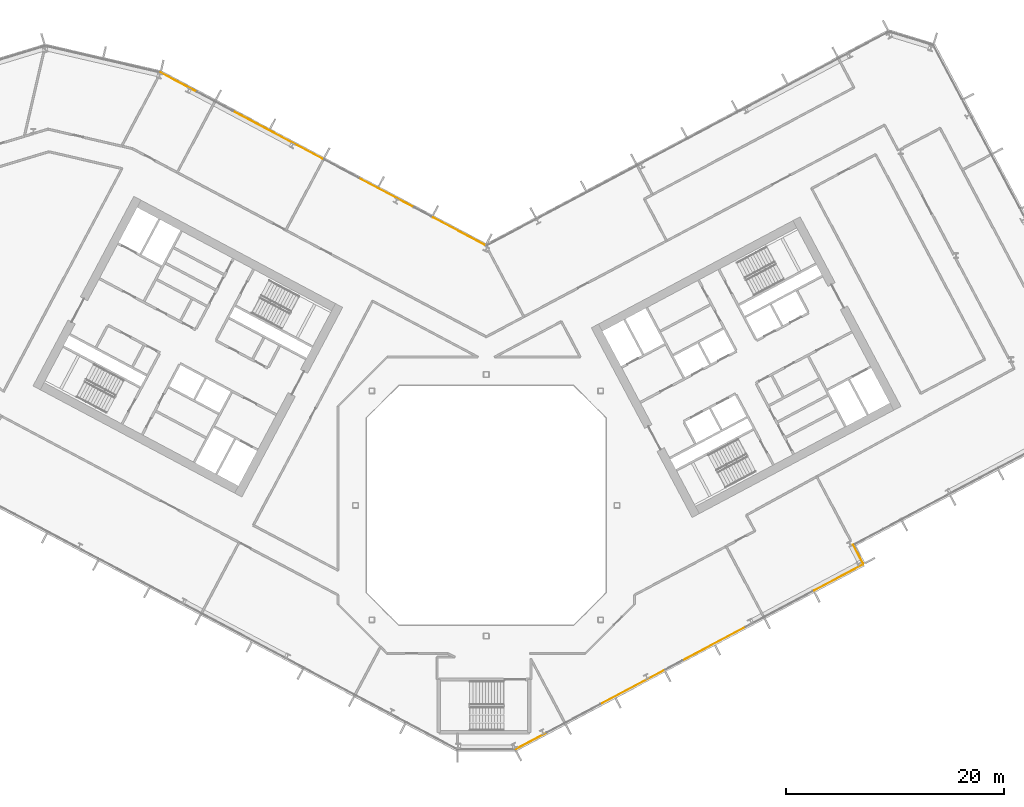
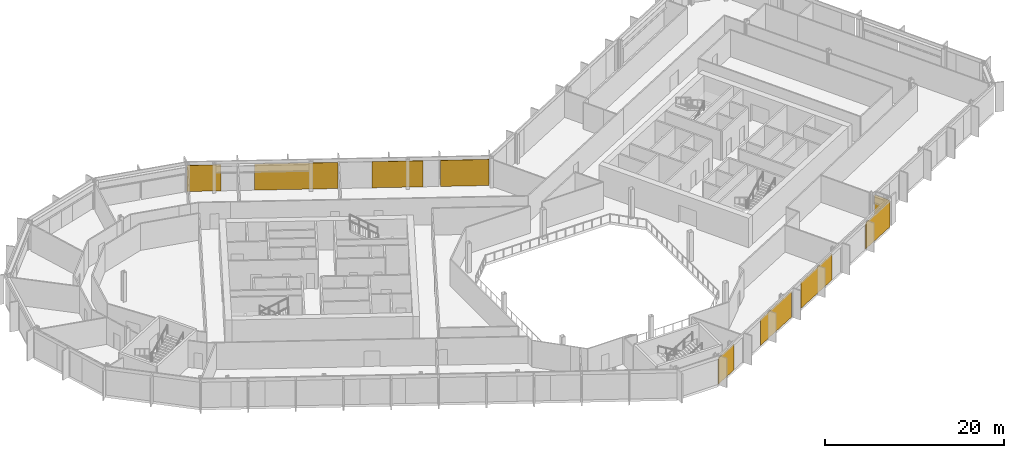
# One storey, part 24 of 28: 9 coverings, 3 elements without a shape of their own.
"""IFC4 building model written with IfcOpenShell, lengths in metres."""

from ifc_helpers import new_model, si_unit, direction, frame, origin, origin_2d, place, context, subcontext, project, spatial, rectangle, extrude, material, layer, layer_set, type_object, element, aggregate, save


model = new_model("IFC4")

# Units and contexts
model_context = context("Model", 3, precision=1e-05, world=origin(), true_north=direction((0.0, 1.0)))
body_context = subcontext(model_context, "Body", "Model", "MODEL_VIEW")
ifc_project = project(units=[si_unit("LENGTHUNIT", "METRE"), si_unit("AREAUNIT", "SQUARE_METRE"), si_unit("VOLUMEUNIT", "CUBIC_METRE"), si_unit("PLANEANGLEUNIT", "RADIAN"), si_unit("MASSUNIT", "GRAM", prefix="KILO")], contexts=[model_context])

# Site, building, storey
site_placement = place(None, origin())
site = spatial("IfcSite", under=ifc_project, at=site_placement, CompositionType="ELEMENT")
building_placement = place(site_placement, origin())
building = spatial("IfcBuilding", under=site, at=building_placement, Name="Cormorant Relay Tower", CompositionType="ELEMENT")
storey_placement = place(building_placement, frame((0.0, 0.0, 170.199951171875)))
storey = spatial("IfcBuildingStorey", under=building, at=storey_placement, Name="L36", CompositionType="ELEMENT", Elevation=170.199951171875)

# Curtain wall, coverings
ifc_material_1 = material(Name="Aluminium 6063-T6 anodised bronze", Category="aluminium")
ifc_layer_1 = layer(ifc_material_1, 0.199951171875)
ifc_layer_set_1 = layer_set([ifc_layer_1], Name="CW1 unitised bronze curtain wall with vertical fins")
curtain_wall_type = type_object("IfcCurtainWallType", Name="CW1 unitised bronze curtain wall with vertical fins", PredefinedType="NOTDEFINED", material=ifc_layer_set_1)
curtain_wall_1_placement = place(storey_placement, origin())
curtain_wall_1 = element("IfcCurtainWall", 1, at=curtain_wall_1_placement, inside=storey, type_object=curtain_wall_type, Name="CW1 curtain wall 2", PredefinedType="NOTDEFINED")
ifc_material_2 = material(Name="Pale bronze anodised aluminium insulated panel", Category="aluminium")
ifc_layer_2 = layer(ifc_material_2, 0.0400390625)
ifc_layer_set_2 = layer_set([ifc_layer_2], Name="CW1 pale bronze insulated panel 40")
covering_type = type_object("IfcCoveringType", Name="CW1 pale bronze insulated panel 40", PredefinedType="CLADDING", material=ifc_layer_set_2)
covering_1_placement = place(storey_placement, frame((4.14453125, -21.60302734375, 0.0), z_axis=(0.0, 0.0, 1.0), x_axis=(0.882947592859, 0.469471562786, 0.0)))
covering_1 = element("IfcCovering", 2, at=covering_1_placement, type_object=covering_type, Name="CW1 panel S00", PredefinedType="CLADDING", context=body_context, shape_type="SweptSolid", body=[
    extrude(rectangle(XDim=3.216552734375, YDim=0.0400390625, at=origin_2d()), origin(), (0.0, 0.0, 1.0), 3.550048828125),
])
covering_2_placement = place(storey_placement, frame((13.37109375, -16.697021484375, 0.0), z_axis=(0.0, 0.0, 1.0), x_axis=(0.882947592859, 0.469471562786, 0.0)))
covering_2 = element("IfcCovering", 3, at=covering_2_placement, type_object=covering_type, Name="CW1 panel S03", PredefinedType="CLADDING", context=body_context, shape_type="SweptSolid", body=[
    extrude(rectangle(XDim=6.5830078125, YDim=0.0400390625, at=origin_2d()), origin(), (0.0, 0.0, 1.0), 3.550048828125),
])
covering_3_placement = place(storey_placement, frame((20.905517578125, -12.69091796875, 0.0), z_axis=(0.0, 0.0, 1.0), x_axis=(0.882947592859, 0.469471562786, 0.0)))
covering_3 = element("IfcCovering", 4, at=covering_3_placement, type_object=covering_type, Name="CW1 panel S05", PredefinedType="CLADDING", context=body_context, shape_type="SweptSolid", body=[
    extrude(rectangle(XDim=6.5830078125, YDim=0.0400390625, at=origin_2d()), origin(), (0.0, 0.0, 1.0), 3.550048828125),
])
covering_4_placement = place(storey_placement, frame((32.343017578125, -6.609619140625, 0.0), z_axis=(0.0, 0.0, 1.0), x_axis=(0.882947592859, 0.469471562786, 0.0)))
covering_4 = element("IfcCovering", 5, at=covering_4_placement, type_object=covering_type, Name="CW1 panel S08", PredefinedType="CLADDING", context=body_context, shape_type="SweptSolid", body=[
    extrude(rectangle(XDim=5.091552734375, YDim=0.0400390625, at=origin_2d()), origin(), (0.0, 0.0, 1.0), 3.550048828125),
])
aggregate(curtain_wall_1, [covering_1, covering_2, covering_3, covering_4])

# Curtain wall, covering
curtain_wall_2_placement = place(storey_placement, origin())
curtain_wall_2 = element("IfcCurtainWall", 6, at=curtain_wall_2_placement, inside=storey, type_object=curtain_wall_type, Name="CW1 curtain wall 3", PredefinedType="NOTDEFINED")
covering_5_placement = place(storey_placement, frame((34.112060546875, -4.47119140625, 0.0), z_axis=(0.0, 0.0, 1.0), x_axis=(-0.469471562786, 0.882947592859, 0.0)))
covering_5 = element("IfcCovering", 7, at=covering_5_placement, type_object=covering_type, Name="CW1 panel S00", PredefinedType="CLADDING", context=body_context, shape_type="SweptSolid", body=[
    extrude(rectangle(XDim=1.925048828125, YDim=0.0400390625, at=origin_2d()), origin(), (0.0, 0.0, 1.0), 3.550048828125),
])
aggregate(curtain_wall_2, [covering_5])

# Curtain wall, coverings
curtain_wall_3_placement = place(storey_placement, origin())
curtain_wall_3 = element("IfcCurtainWall", 8, at=curtain_wall_3_placement, inside=storey, type_object=curtain_wall_type, Name="CW1 curtain wall 9", PredefinedType="NOTDEFINED")
covering_6_placement = place(storey_placement, frame((-2.51318359375, 25.142822265625, 0.0), z_axis=(0.0, 0.0, 1.0), x_axis=(-0.882947592859, 0.469471562786, 0.0)))
covering_6 = element("IfcCovering", 9, at=covering_6_placement, type_object=covering_type, Name="CW1 panel S00", PredefinedType="CLADDING", context=body_context, shape_type="SweptSolid", body=[
    extrude(rectangle(XDim=5.4140625, YDim=0.0400390625, at=origin_2d()), origin(), (0.0, 0.0, 1.0), 3.550048828125),
])
covering_7_placement = place(storey_placement, frame((-9.15380859375, 28.673828125, 0.0), z_axis=(0.0, 0.0, 1.0), x_axis=(-0.882947592859, 0.469471562786, 0.0)))
covering_7 = element("IfcCovering", 10, at=covering_7_placement, type_object=covering_type, Name="CW1 panel S02", PredefinedType="CLADDING", context=body_context, shape_type="SweptSolid", body=[
    extrude(rectangle(XDim=5.72802734375, YDim=0.0400390625, at=origin_2d()), origin(), (0.0, 0.0, 1.0), 3.550048828125),
])
covering_8_placement = place(storey_placement, frame((-19.11181640625, 33.968505859375, 0.0), z_axis=(0.0, 0.0, 1.0), x_axis=(-0.882947592859, 0.469471562786, 0.0)))
covering_8 = element("IfcCovering", 11, at=covering_8_placement, type_object=covering_type, Name="CW1 panel S04", PredefinedType="CLADDING", context=body_context, shape_type="SweptSolid", body=[
    extrude(rectangle(XDim=9.327880859375, YDim=0.0400390625, at=origin_2d()), origin(), (0.0, 0.0, 1.0), 3.550048828125),
])
covering_9_placement = place(storey_placement, frame((-28.20263671875, 38.80224609375, 0.0), z_axis=(0.0, 0.0, 1.0), x_axis=(-0.882947592859, 0.469471562786, 0.0)))
covering_9 = element("IfcCovering", 12, at=covering_9_placement, type_object=covering_type, Name="CW1 panel S07", PredefinedType="CLADDING", context=body_context, shape_type="SweptSolid", body=[
    extrude(rectangle(XDim=3.763916015625, YDim=0.0400390625, at=origin_2d()), origin(), (0.0, 0.0, 1.0), 3.550048828125),
])
aggregate(curtain_wall_3, [covering_6, covering_7, covering_8, covering_9])

save(model, "model.ifc")
